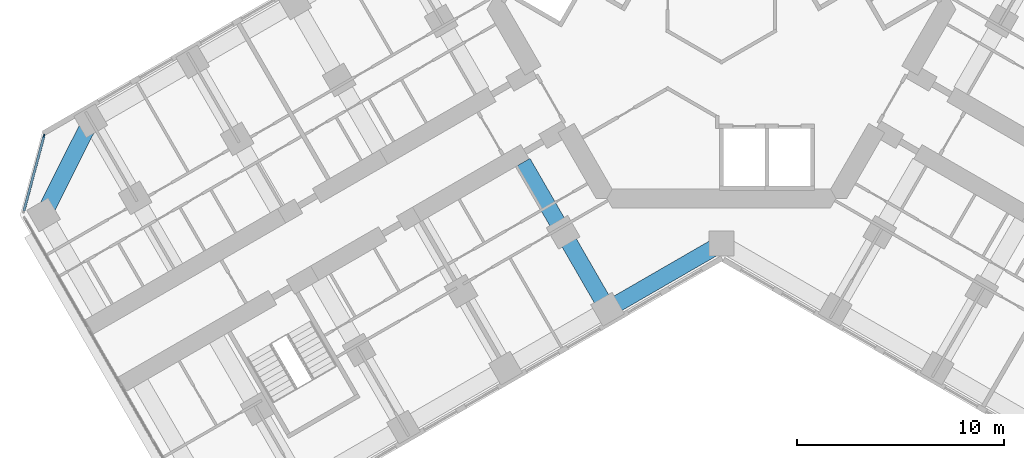
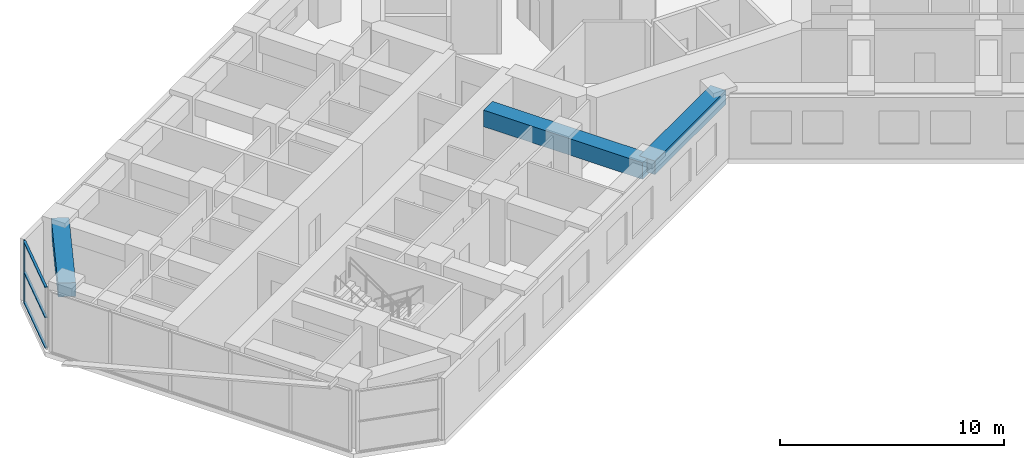
# One storey, part 3 of 20: 4 members, 3 beams, 1 element without a shape of its own.
"""IFC4 building model written with IfcOpenShell, lengths in metres."""

from ifc_helpers import new_model, si_unit, direction, frame, origin, origin_2d, place, context, subcontext, project, spatial, rectangle, extrude, material, material_profile, profile_set, type_object, element, aggregate, save


model = new_model("IFC4")

# Units and contexts
model_context = context("Model", 3, precision=1e-05, world=origin(), true_north=direction((0.0, 1.0)))
body_context = subcontext(model_context, "Body", "Model", "MODEL_VIEW")
ifc_project = project(units=[si_unit("LENGTHUNIT", "METRE"), si_unit("AREAUNIT", "SQUARE_METRE"), si_unit("VOLUMEUNIT", "CUBIC_METRE"), si_unit("PLANEANGLEUNIT", "RADIAN"), si_unit("MASSUNIT", "GRAM", prefix="KILO")], contexts=[model_context])

# Site, building, storey
site_placement = place(None, origin())
site = spatial("IfcSite", under=ifc_project, at=site_placement, CompositionType="ELEMENT")
building_placement = place(site_placement, origin())
building = spatial("IfcBuilding", under=site, at=building_placement, Name="Kosmar Iwan School Tower", CompositionType="ELEMENT")
storey_placement = place(building_placement, frame((0.0, 0.0, 123.800048828125)))
storey = spatial("IfcBuildingStorey", under=building, at=storey_placement, Name="L30", CompositionType="ELEMENT", Elevation=123.800048828125)

# Curtain wall, member
ifc_material_1 = material(Name="Dark glass in black aluminium frame", Category="aluminium")
curtain_wall_type = type_object("IfcCurtainWallType", Name="Chamfer curtain wall dark glass", PredefinedType="USERDEFINED", material=ifc_material_1)
curtain_wall_placement = place(storey_placement, origin())
curtain_wall = element("IfcCurtainWall", 1, at=curtain_wall_placement, inside=storey, type_object=curtain_wall_type, Name="Curtain wall L30-F12", ObjectType="FACETED CURTAIN WALL", PredefinedType="USERDEFINED")
ifc_material_2 = material(Name="Black anodised aluminium", Category="aluminium")
ifc_material_profile_1 = material_profile(ifc_material_2, rectangle(XDim=0.06005859375, YDim=0.159912109375, at=origin_2d()), Name="MULLION 60x160")
ifc_profile_set_1 = profile_set([ifc_material_profile_1], Name="Black anodised aluminium")
member_type_1 = type_object("IfcMemberType", Name="Mullion 60x160", PredefinedType="MULLION", material=ifc_profile_set_1)
member_1_placement = place(storey_placement, frame((-32.78076171875, -6.5732421875, 0.0), z_axis=(0.0, 0.0, 1.0), x_axis=(0.965925875495, -0.258818861462, 0.0)))
member_1 = element("IfcMember", 2, at=member_1_placement, type_object=member_type_1, Name="CW2 mullion 1", PredefinedType="MULLION", context=body_context, shape_type="SweptSolid", body=[
    extrude(rectangle(XDim=0.06005859375, YDim=0.159912109375, at=origin_2d()), origin(), (0.0, 0.0, 1.0), 3.349853515625),
])

# Beams
ifc_material_3 = material(Name="Concrete C50/60", Category="concrete")
ifc_material_profile_2 = material_profile(ifc_material_3, rectangle(XDim=0.800048828125, YDim=0.75, at=origin_2d()), Name="RC 800x750")
ifc_profile_set_2 = profile_set([ifc_material_profile_2], Name="Concrete C50/60")
beam_type_1 = type_object("IfcBeamType", Name="RC edge beam 800x750", PredefinedType="BEAM", material=ifc_profile_set_2)
beam_1_placement = place(storey_placement, frame((0.0, -11.77783203125, 2.974853515625), z_axis=(-0.866014293216, -0.500019243575, 0.0), x_axis=(0.500019243575, -0.866014293216, 0.0)))
element("IfcBeam", 3, at=beam_1_placement, inside=storey, type_object=beam_type_1, Name="Edge beam BL1", PredefinedType="BEAM", context=body_context, shape_type="SweptSolid", body=[
    extrude(rectangle(XDim=0.800048828125, YDim=0.75, at=origin_2d()), origin(), (0.0, 0.0, 1.0), 6.361083984375),
])
ifc_material_4 = material(Name="Concrete C50/60", Category="concrete")
ifc_material_profile_3 = material_profile(ifc_material_4, rectangle(XDim=0.800048828125, YDim=0.75, at=origin_2d()), Name="RC 800x750")
ifc_profile_set_3 = profile_set([ifc_material_profile_3], Name="Concrete C50/60")
beam_type_2 = type_object("IfcBeamType", Name="RC tip beam 800x750", PredefinedType="BEAM", material=ifc_profile_set_3)
beam_2_placement = place(storey_placement, frame((-30.517822265625, -5.841552734375, 2.974853515625), z_axis=(-0.44809604203, -0.893985423325, 0.0), x_axis=(0.893985423325, -0.44809604203, 0.0)))
element("IfcBeam", 4, at=beam_2_placement, inside=storey, type_object=beam_type_2, Name="Tip beam BR", PredefinedType="BEAM", context=body_context, shape_type="SweptSolid", body=[
    extrude(rectangle(XDim=0.800048828125, YDim=0.75, at=origin_2d()), origin(), (0.0, 0.0, 1.0), 5.08935546875),
])
ifc_material_5 = material(Name="Concrete C50/60", Category="concrete")
ifc_material_profile_4 = material_profile(ifc_material_5, rectangle(XDim=0.800048828125, YDim=0.89990234375, at=origin_2d()), Name="RC 800x900")
ifc_profile_set_4 = profile_set([ifc_material_profile_4], Name="Concrete C50/60")
beam_type_3 = type_object("IfcBeamType", Name="RC transverse beam 800x900", PredefinedType="BEAM", material=ifc_profile_set_4)
beam_3_placement = place(storey_placement, frame((-5.5087890625, -14.95849609375, 2.89990234375), z_axis=(-0.500000789788, 0.8660249478, 0.0), x_axis=(-0.8660249478, -0.500000789788, 0.0)))
element("IfcBeam", 5, at=beam_3_placement, inside=storey, type_object=beam_type_3, Name="Transverse beam BL1", PredefinedType="BEAM", context=body_context, shape_type="SweptSolid", body=[
    extrude(rectangle(XDim=0.800048828125, YDim=0.89990234375, at=origin_2d()), origin(), (0.0, 0.0, 1.0), 8.2001953125),
])

# Member
ifc_material_6 = material(Name="Black anodised aluminium", Category="aluminium")
ifc_material_profile_5 = material_profile(ifc_material_6, rectangle(XDim=0.1201171875, YDim=0.06005859375, at=origin_2d()), Name="TRANSOM 60x120")
ifc_profile_set_5 = profile_set([ifc_material_profile_5], Name="Black anodised aluminium")
member_type_2 = type_object("IfcMemberType", Name="Transom 60x120", PredefinedType="USERDEFINED", material=ifc_profile_set_5)
member_2_placement = place(storey_placement, frame((-32.788330078125, -6.602294921875, 0.030029296875), z_axis=(-0.258843273983, -0.965919333854, 0.0), x_axis=(0.965919333854, -0.258843273983, 0.0)))
member_2 = element("IfcMember", 6, at=member_2_placement, type_object=member_type_2, Name="CW2 transom 1.1", ObjectType="TRANSOM", PredefinedType="USERDEFINED", context=body_context, shape_type="SweptSolid", body=[
    extrude(rectangle(XDim=0.1201171875, YDim=0.06005859375, at=origin_2d()), origin(), (0.0, 0.0, 1.0), 3.718994140625),
])

member_3_placement = place(storey_placement, frame((-32.788330078125, -6.602294921875, 1.675048828125), z_axis=(-0.258843273983, -0.965919333854, 0.0), x_axis=(0.965919333854, -0.258843273983, 0.0)))
member_3 = element("IfcMember", 7, at=member_3_placement, type_object=member_type_2, Name="CW2 transom 1.2", ObjectType="TRANSOM", PredefinedType="USERDEFINED", context=body_context, shape_type="SweptSolid", body=[
    extrude(rectangle(XDim=0.1201171875, YDim=0.06005859375, at=origin_2d()), origin(), (0.0, 0.0, 1.0), 3.718994140625),
])

member_4_placement = place(storey_placement, frame((-32.788330078125, -6.602294921875, 3.320068359375), z_axis=(-0.258843273983, -0.965919333854, 0.0), x_axis=(0.965919333854, -0.258843273983, 0.0)))
member_4 = element("IfcMember", 8, at=member_4_placement, type_object=member_type_2, Name="CW2 transom 1.3", ObjectType="TRANSOM", PredefinedType="USERDEFINED", context=body_context, shape_type="SweptSolid", body=[
    extrude(rectangle(XDim=0.1201171875, YDim=0.06005859375, at=origin_2d()), origin(), (0.0, 0.0, 1.0), 3.718994140625),
])

aggregate(curtain_wall, [member_1, member_2, member_3, member_4])

save(model, "model.ifc")
